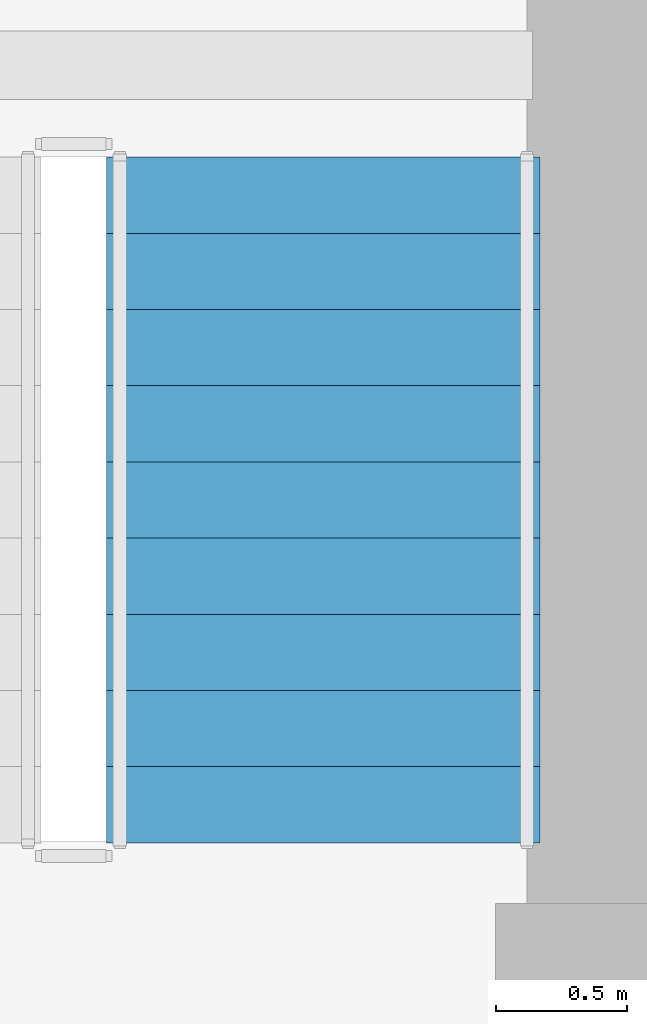
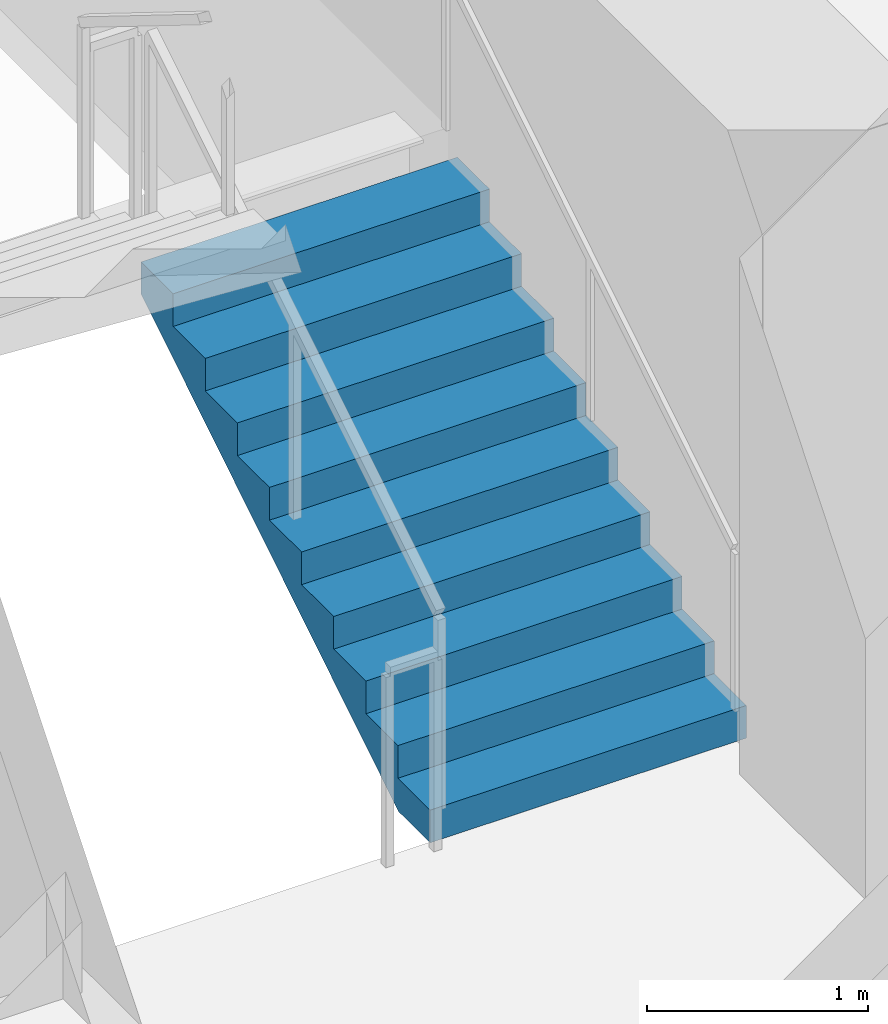
# One storey, part 13 of 15: 1 stair flight, 1 element without a shape of its own.
"""IFC4 building model written with IfcOpenShell, lengths in metres."""

import ifcopenshell
import ifcopenshell.guid

model = None  # the IFC model being written
_history = None  # IfcOwnerHistory: only IFC2X3 demands one
_inside = {}  # id of a spatial element -> (the spatial element, [elements in it])
_under = {}  # id of a project, library or spatial element -> (it, [spatial elements below it])
_declared = {}  # id of a project -> (the project, [libraries it declares])
_typed = {}  # id of a type object -> (the type object, [elements of that type])
_made_of = {}  # id of a material, layer set ... -> (it, [elements and type objects made of it])


def new_model(schema):
    """Start an empty IFC model of exactly this schema.

    Asked for "IFC4X3", IfcOpenShell would pick the latest addendum, in which some entities
    have other attributes; the version numbers below select the first issue.
    IFC2X3 requires an IfcOwnerHistory on every rooted entity: one is made here for all.
    """
    global model, _history
    if schema == "IFC4X3":
        model = ifcopenshell.file(schema_version=(4, 3, 0, 0))
    else:
        model = ifcopenshell.file(schema=schema)
    _inside.clear()
    _under.clear()
    _declared.clear()
    _typed.clear()
    _made_of.clear()
    _history = None
    if model.schema == "IFC2X3":
        org = make("IfcOrganization", Name="unknown")
        user = make(
            "IfcPersonAndOrganization",
            ThePerson=make("IfcPerson", FamilyName="unknown"),
            TheOrganization=org,
        )
        app = make(
            "IfcApplication",
            ApplicationDeveloper=org,
            Version="unknown",
            ApplicationFullName="unknown",
            ApplicationIdentifier="unknown",
        )
        _history = make(
            "IfcOwnerHistory",
            OwningUser=user,
            OwningApplication=app,
            ChangeAction="ADDED",
            CreationDate=0,
        )
    return model


def make(cls, **values):
    """One entity of the class cls with the attributes given. An attribute that is None is left unset."""
    return model.create_entity(
        cls, **{name: value for name, value in values.items() if value is not None}
    )


def rooted(cls, **values):
    """An entity with a GlobalId (a new one), such as an element, a storey or a relation."""
    return make(cls, GlobalId=ifcopenshell.guid.new(), OwnerHistory=_history, **values)


def si_unit(unit_type, name, prefix=None):
    """IfcSIUnit, for example si_unit("LENGTHUNIT", "METRE", prefix="MILLI")."""
    return make("IfcSIUnit", UnitType=unit_type, Prefix=prefix, Name=name)


def derived_unit(unit_type, elements):
    """IfcDerivedUnit: a product of units, each with its exponent."""
    return make(
        "IfcDerivedUnit",
        Elements=[
            make("IfcDerivedUnitElement", Unit=unit, Exponent=power)
            for unit, power in elements
        ],
        UnitType=unit_type,
    )


def assignment(units):
    """IfcUnitAssignment: the units of a project."""
    return None if units is None else make("IfcUnitAssignment", Units=units)


def point(xyz):
    """IfcCartesianPoint."""
    return None if xyz is None else make("IfcCartesianPoint", Coordinates=xyz)


def direction(xyz):
    """IfcDirection."""
    return None if xyz is None else make("IfcDirection", DirectionRatios=xyz)


def frame(location, z_axis=None, x_axis=None):
    """IfcAxis2Placement3D, a coordinate frame: its origin and axes. An axis left out is left unset."""
    return make(
        "IfcAxis2Placement3D",
        Location=point(location),
        Axis=direction(z_axis),
        RefDirection=direction(x_axis),
    )


def origin():
    """The frame at (0, 0, 0) with its axes left unset."""
    return frame((0.0, 0.0, 0.0))


def place(relative_to, where):
    """IfcLocalPlacement: puts the frame where relative to a parent placement (None: the world)."""
    return make(
        "IfcLocalPlacement", PlacementRelTo=relative_to, RelativePlacement=where
    )


def context(
    kind, dimensions, precision=None, world=None, true_north=None, identifier=None
):
    """IfcGeometricRepresentationContext, for example the 3D "Model" context."""
    return make(
        "IfcGeometricRepresentationContext",
        ContextIdentifier=identifier,
        ContextType=kind,
        CoordinateSpaceDimension=dimensions,
        Precision=precision,
        WorldCoordinateSystem=world,
        TrueNorth=true_north,
    )


def subcontext(parent, identifier, kind, view, scale=None):
    """IfcGeometricRepresentationSubContext, for example "Body" below "Model"."""
    return make(
        "IfcGeometricRepresentationSubContext",
        ContextIdentifier=identifier,
        ContextType=kind,
        ParentContext=parent,
        TargetScale=scale,
        TargetView=view,
    )


def project(units=None, contexts=None):
    """IfcProject with its units and contexts."""
    return rooted(
        "IfcProject",
        Name="project",
        RepresentationContexts=contexts,
        UnitsInContext=assignment(units),
    )


def spatial(cls, under=None, at=None, **own):
    """A site, building, storey or space (cls), placed at a placement, below another one or the project."""
    s = rooted(cls, ObjectPlacement=at, **own)
    if under is not None:
        _under.setdefault(under.id(), (under, []))[1].append(s)
    return s


def polyline(points):
    """IfcPolyline through the points."""
    return make("IfcPolyline", Points=[point(p) for p in points])


def outline(outer, holes=None, kind="AREA"):
    """IfcArbitraryClosedProfileDef: a profile drawn as a closed curve; with holes, ...WithVoids."""
    if holes is None:
        return make("IfcArbitraryClosedProfileDef", ProfileType=kind, OuterCurve=outer)
    return make(
        "IfcArbitraryProfileDefWithVoids",
        ProfileType=kind,
        OuterCurve=outer,
        InnerCurves=holes,
    )


def extrude(swept, where, along, depth):
    """IfcExtrudedAreaSolid: the profile swept, set in the frame where, extruded along a direction by depth."""
    return make(
        "IfcExtrudedAreaSolid",
        SweptArea=swept,
        Position=where,
        ExtrudedDirection=direction(along),
        Depth=depth,
    )


def shape(context_of_items, identifier, shape_type, items):
    """IfcShapeRepresentation: the items that make up one representation, for example the "Body"."""
    return make(
        "IfcShapeRepresentation",
        ContextOfItems=context_of_items,
        RepresentationIdentifier=identifier,
        RepresentationType=shape_type,
        Items=items,
    )


def material(Name=None, Category=None):
    """IfcMaterial."""
    return make("IfcMaterial", Name=Name, Category=Category)


def made_of(thing, what):
    """Note that an element or type object is made of a material, layer set ...; save() writes the relation."""
    if what is not None:
        _made_of.setdefault(what.id(), (what, []))[1].append(thing)
    return thing


def type_object(cls, material=None, **own):
    """A type object (cls), such as IfcWallType, which elements share."""
    return made_of(rooted(cls, **own), material)


def element(
    cls,
    number,
    at=None,
    inside=None,
    cuts=None,
    type_object=None,
    material=None,
    context=None,
    identifier="Body",
    shape_type=None,
    held_by="IfcProductDefinitionShape",
    body=None,
    shapes=None,
    **own,
):
    """One element of the class cls, such as IfcWall. Its Tag is "e" and its number.

    at: its placement. inside: the storey or other place that contains it. cuts: it is an
    opening in that element (IfcRelVoidsElement). A single representation is given by context,
    identifier, shape_type and body (its items); several are given by shapes. held_by: the class
    of the entity that holds the representations. save() writes the other relations.
    """
    e = rooted(cls, Tag="e%d" % number, ObjectPlacement=at, **own)
    if body is not None:
        shapes = [shape(context, identifier, shape_type, body)]
    if shapes is not None:
        e.Representation = make(held_by, Representations=shapes)
    if inside is not None:
        _inside.setdefault(inside.id(), (inside, []))[1].append(e)
    if cuts is not None:
        rooted(
            "IfcRelVoidsElement", RelatingBuildingElement=cuts, RelatedOpeningElement=e
        )
    if type_object is not None:
        _typed.setdefault(type_object.id(), (type_object, []))[1].append(e)
    return made_of(e, material)


def aggregate(whole, parts):
    """IfcRelAggregates: a whole, such as a stair, and the parts it consists of."""
    return rooted("IfcRelAggregates", RelatingObject=whole, RelatedObjects=parts)


def save(model, path):
    """Write the relations noted so far, then the file.

    IfcRelAggregates (storeys below a building ...), IfcRelContainedInSpatialStructure (elements
    in a storey), IfcRelDefinesByType, IfcRelAssociatesMaterial and IfcRelDeclares: one each for
    every whole, place, type object, material and project.
    """
    for whole, parts in _under.values():
        aggregate(whole, parts)
    for where, things in _inside.values():
        rooted(
            "IfcRelContainedInSpatialStructure",
            RelatedElements=things,
            RelatingStructure=where,
        )
    for kind, things in _typed.values():
        rooted("IfcRelDefinesByType", RelatedObjects=things, RelatingType=kind)
    for what, things in _made_of.values():
        rooted("IfcRelAssociatesMaterial", RelatedObjects=things, RelatingMaterial=what)
    for by, libraries in _declared.values():
        rooted("IfcRelDeclares", RelatingContext=by, RelatedDefinitions=libraries)
    model.write(path)


model = new_model("IFC4")

# Units and contexts
model_context = context("Model", 3, precision=1e-05, world=origin(), true_north=direction((0.0, 1.0)))
body_context = subcontext(model_context, "Body", "Model", "MODEL_VIEW")
ifc_project = project(units=[si_unit("LENGTHUNIT", "METRE"), si_unit("AREAUNIT", "SQUARE_METRE"), si_unit("VOLUMEUNIT", "CUBIC_METRE"), si_unit("PLANEANGLEUNIT", "RADIAN"), si_unit("MASSUNIT", "GRAM", prefix="KILO"), derived_unit("THERMALTRANSMITTANCEUNIT", [(si_unit("POWERUNIT", "WATT"), 1), (si_unit("LENGTHUNIT", "METRE"), -2), (si_unit("THERMODYNAMICTEMPERATUREUNIT", "KELVIN"), -1)])], contexts=[model_context])

# Site, building, storey
site_placement = place(None, origin())
site = spatial("IfcSite", under=ifc_project, at=site_placement, CompositionType="ELEMENT")
building_placement = place(site_placement, origin())
building = spatial("IfcBuilding", under=site, at=building_placement, Name="Koralith Skygarden Medical Center", CompositionType="ELEMENT")
storey_placement = place(building_placement, frame((0.0, 0.0, 56.340087890625)))
storey = spatial("IfcBuildingStorey", under=building, at=storey_placement, Name="L14", CompositionType="ELEMENT", Elevation=56.340087890625)

# Stair, stair flight
ifc_material = material(Name="Concrete C45/55", Category="concrete")
stair_type = type_object("IfcStairType", Name="Core Exit Dogleg Concrete Stair", PredefinedType="HALF_TURN_STAIR", material=ifc_material)
stair_placement = place(storey_placement, origin())
stair = element("IfcStair", 1, at=stair_placement, inside=storey, type_object=stair_type, Name="L14 Smokeproof Exit Stair ST2", PredefinedType="HALF_TURN_STAIR")
stair_flight_type = type_object("IfcStairFlightType", Name="Core Exit Concrete Stair Flight 1650", PredefinedType="STRAIGHT", material=ifc_material)
stair_flight_placement = place(storey_placement, frame((46.97509765625, 26.699951171875, 0.0), z_axis=(0.0, 0.0, 1.0), x_axis=(0.0, 1.0, 0.0)))
stair_flight = element("IfcStairFlight", 2, at=stair_flight_placement, type_object=stair_flight_type, Name="ST2 flight 1", NumberOfRisers=10, NumberOfTreads=9, PredefinedType="STRAIGHT", RiserHeight=0.18, TreadLength=0.29, context=body_context, shape_type="SweptSolid", body=[
    extrude(outline(polyline([(0.0, 0.0), (0.0, 0.179931640625), (0.2900390625, 0.179931640625), (0.2900390625, 0.360107421875), (0.580078125, 0.360107421875), (0.580078125, 0.5400390625), (0.8701171875, 0.5400390625), (0.8701171875, 0.719970703125), (1.159912109375, 0.719970703125), (1.159912109375, 0.89990234375), (1.449951171875, 0.89990234375), (1.449951171875, 1.080078125), (1.739990234375, 1.080078125), (1.739990234375, 1.260009765625), (2.030029296875, 1.260009765625), (2.030029296875, 1.43994140625), (2.320068359375, 1.43994140625), (2.320068359375, 1.6201171875), (2.610107421875, 1.6201171875), (2.610107421875, 1.800048828125), (2.610107421875, 1.443603515625), (0.2841796875, 0.0), (0.0, 0.0)])), frame((0.0, 0.824951171875, 0.0), z_axis=(0.0, -1.0, 0.0), x_axis=(1.0, 0.0, 0.0)), (0.0, 0.0, 1.0), 1.64990234375),
])
aggregate(stair, [stair_flight])

save(model, "model.ifc")
